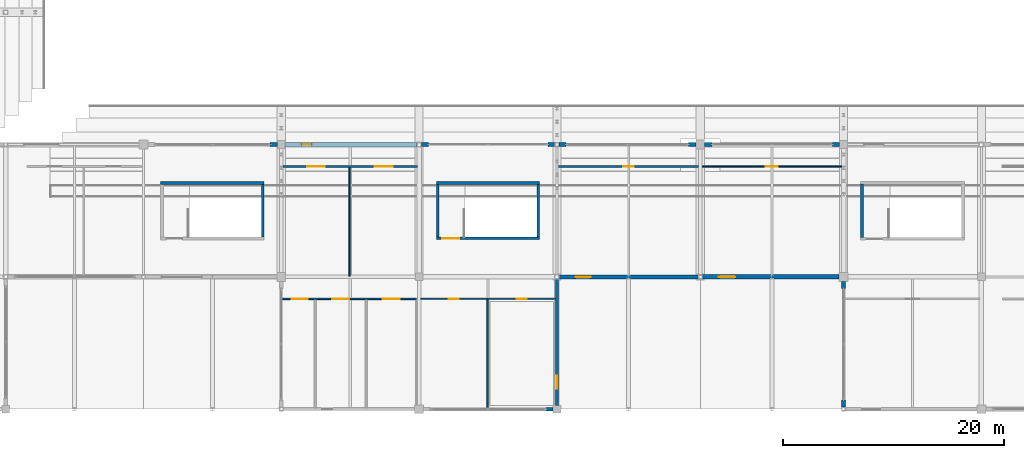
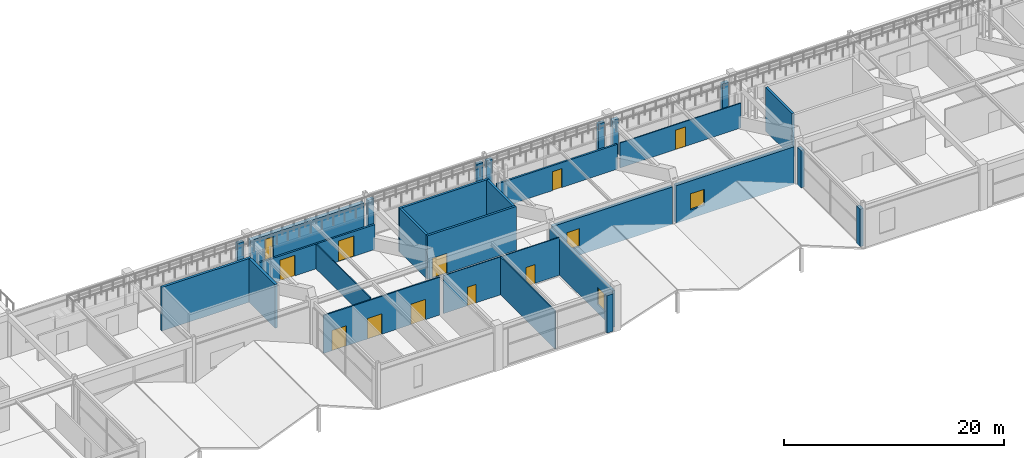
# One storey, part 87 of 128: 28 walls, 10 doors, 4 windows, 14 openings.
"""IFC4 building model written with IfcOpenShell, lengths in metres."""

from ifc_helpers import new_model, si_unit, direction, frame, frame_2d, origin, place, context, subcontext, project, spatial, rectangle, extrude, material, layer, layer_set, type_object, element, fill, save


model = new_model("IFC4")

# Units and contexts
model_context = context("Model", 3, precision=1e-05, world=origin(), true_north=direction((0.0, 1.0)))
body_context = subcontext(model_context, "Body", "Model", "MODEL_VIEW")
ifc_project = project(units=[si_unit("LENGTHUNIT", "METRE"), si_unit("AREAUNIT", "SQUARE_METRE"), si_unit("VOLUMEUNIT", "CUBIC_METRE"), si_unit("PLANEANGLEUNIT", "RADIAN"), si_unit("MASSUNIT", "GRAM", prefix="KILO")], contexts=[model_context])

# Site, building, storey
site_placement = place(None, origin())
site = spatial("IfcSite", under=ifc_project, at=site_placement, CompositionType="ELEMENT")
building_placement = place(site_placement, origin())
building = spatial("IfcBuilding", under=site, at=building_placement, Name="Kazenohara Klinker Stadium", CompositionType="ELEMENT")
storey_placement = place(building_placement, frame((0.0, 0.0, 15.300048828125)))
storey = spatial("IfcBuildingStorey", under=building, at=storey_placement, Name="L03", CompositionType="ELEMENT", Elevation=15.300048828125)

# Wall, opening, door
ifc_material_1 = material(Name="Concrete C40/50", Category="concrete")
ifc_layer_1 = layer(ifc_material_1, 0.22998046875)
ifc_layer_set_1 = layer_set([ifc_layer_1], Name="Concrete C40/50")
wall_type_1 = type_object("IfcWallType", Name="WAL-CORE-230", PredefinedType="SHEAR", material=ifc_layer_set_1)
wall_1_placement = place(storey_placement, frame((88.070068359375, 27.485107421875, 0.0), z_axis=(0.0, 0.0, 1.0), x_axis=(1.0, 0.0, 0.0)))
wall_1 = element("IfcWall", 1, at=wall_1_placement, inside=storey, type_object=wall_type_1, Name="Stairwell shear wall ST26 L03 South", PredefinedType="SHEAR", context=body_context, shape_type="SweptSolid", body=[
    extrude(rectangle(XDim=9.35986328125, YDim=0.22998046875, at=frame_2d((4.679931640625, 0.0))), origin(), (0.0, 0.0, 1.0), 4.85986328125),
])
opening_1_placement = place(wall_1_placement, frame((0.550048828125, 0.0, 0.0)))
opening_1 = element("IfcOpeningElement", 2, at=opening_1_placement, cuts=wall_1, Name="Opening SD02", PredefinedType="OPENING", context=body_context, shape_type="SweptSolid", body=[
    extrude(rectangle(XDim=1.5, YDim=2.199951171875, at=frame_2d((0.75, 1.10009765625))), frame((0.0, 0.125, 0.0), z_axis=(0.0, -1.0, 0.0), x_axis=(1.0, 0.0, 0.0)), (0.0, 0.0, 1.0), 0.25),
])
ifc_material_2 = material(Name="Flush painted steel fire door leaf", Category="steel")
door_type_1 = type_object("IfcDoorType", Name="DR-STR-1500x2200", OperationType="NOTDEFINED", PredefinedType="DOOR", material=ifc_material_2)
door_1_placement = place(opening_1_placement, origin())
door_1 = element("IfcDoor", 3, at=door_1_placement, inside=storey, type_object=door_type_1, Name="Escape stairwell fire door ST26-L03", OperationType="SINGLE_SWING_RIGHT", OverallHeight=2.199951171875, OverallWidth=1.5, PredefinedType="DOOR", context=body_context, shape_type="SweptSolid", body=[
    extrude(rectangle(XDim=1.5, YDim=2.199951171875, at=frame_2d((0.75, 1.10009765625))), frame((0.0, 0.02490234375, 0.0), z_axis=(0.0, -1.0, 0.0), x_axis=(1.0, 0.0, 0.0)), (0.0, 0.0, 1.0), 0.050048828125),
])
fill(opening_1, door_1)

# Walls
wall_2_placement = place(storey_placement, frame((88.070068359375, 32.514892578125, 0.0), z_axis=(0.0, 0.0, 1.0), x_axis=(1.0, 0.0, 0.0)))
element("IfcWall", 4, at=wall_2_placement, inside=storey, type_object=wall_type_1, Name="Stairwell shear wall ST26 L03 North", PredefinedType="SHEAR", context=body_context, shape_type="SweptSolid", body=[
    extrude(rectangle(XDim=9.35986328125, YDim=0.22998046875, at=frame_2d((4.679931640625, 0.0))), origin(), (0.0, 0.0, 1.0), 4.85986328125),
])
for number, where, z_axis, x_axis, name in (
    (5, (88.18505859375, 27.60009765625, 0.0), (0.0, 0.0, 1.0), (0.0, 1.0, 0.0), "Stairwell shear wall ST26 L03 West"),
    (6, (97.31494140625, 27.60009765625, 0.0), (0.0, 0.0, 1.0), (0.0, 1.0, 0.0), "Stairwell shear wall ST26 L03 East"),
):
    element("IfcWall", number, at=place(storey_placement, frame(where, z_axis=z_axis, x_axis=x_axis)), inside=storey, type_object=wall_type_1, Name=name, PredefinedType="SHEAR", context=body_context, shape_type="SweptSolid", body=[
        extrude(rectangle(XDim=4.7998046875, YDim=0.22998046875, at=frame_2d((2.39990234375, 0.0))), origin(), (0.0, 0.0, 1.0), 4.85986328125),
    ])
ifc_layer_2 = layer(ifc_material_1, 0.25)
ifc_layer_set_2 = layer_set([ifc_layer_2], Name="Concrete C40/50")
wall_type_2 = type_object("IfcWallType", Name="WAL-CORE-250", PredefinedType="SHEAR", material=ifc_layer_set_2)
wall_3_placement = place(storey_placement, frame((63.050048828125, 32.514892578125, 0.0), z_axis=(0.0, 0.0, 1.0), x_axis=(1.0, 0.0, 0.0)))
element("IfcWall", 7, at=wall_3_placement, inside=storey, type_object=wall_type_2, Name="Stairwell shear wall ST25 L03 North", PredefinedType="SHEAR", context=body_context, shape_type="SweptSolid", body=[
    extrude(rectangle(XDim=9.39990234375, YDim=0.25, at=frame_2d((4.699951171875, 0.0))), origin(), (0.0, 0.0, 1.0), 4.85986328125),
])
wall_4_placement = place(storey_placement, frame((72.324951171875, 27.610107421875, 0.0), z_axis=(0.0, 0.0, 1.0), x_axis=(0.0, 1.0, 0.0)))
element("IfcWall", 8, at=wall_4_placement, inside=storey, type_object=wall_type_2, Name="Stairwell shear wall ST25 L03 East", PredefinedType="SHEAR", context=body_context, shape_type="SweptSolid", body=[
    extrude(rectangle(XDim=4.77978515625, YDim=0.25, at=frame_2d((2.389892578125, 0.0))), origin(), (0.0, 0.0, 1.0), 4.85986328125),
])
wall_5_placement = place(storey_placement, frame((126.675048828125, 27.580078125, 0.0), z_axis=(0.0, 0.0, 1.0), x_axis=(0.0, 1.0, 0.0)))
element("IfcWall", 9, at=wall_5_placement, inside=storey, type_object=wall_type_2, Name="Stairwell shear wall ST27 L03 West", PredefinedType="SHEAR", context=body_context, shape_type="SweptSolid", body=[
    extrude(rectangle(XDim=4.83984375, YDim=0.25, at=frame_2d((2.419921875, 0.0))), origin(), (0.0, 0.0, 1.0), 4.85986328125),
])

# Wall, opening, window
ifc_material_3 = material(Name="Clinker brick masonry", Category="masonry")
ifc_layer_3 = layer(ifc_material_3, 0.280029296875)
ifc_layer_set_3 = layer_set([ifc_layer_3], Name="Clinker brick masonry")
wall_type_3 = type_object("IfcWallType", Name="WAL-EXT-CB280", PredefinedType="SOLIDWALL", material=ifc_layer_set_3)
wall_6_placement = place(storey_placement, frame((99.0, 12.35400390625, 0.0), z_axis=(0.0, 0.0, 1.0), x_axis=(0.0, 1.0, 0.0)))
wall_6 = element("IfcWall", 10, at=wall_6_placement, inside=storey, type_object=wall_type_3, Name="Clinker brick cavity wall EW06 L03 Y8-1", PredefinedType="SOLIDWALL", context=body_context, shape_type="SweptSolid", body=[
    extrude(rectangle(XDim=11.44189453125, YDim=0.280029296875, at=frame_2d((5.720947265625, 0.0))), origin(), (0.0, 0.0, 1.0), 4.06005859375),
])
opening_2_placement = place(wall_6_placement, frame((1.5, 0.0, 0.949951171875)))
opening_2 = element("IfcOpeningElement", 11, at=opening_2_placement, cuts=wall_6, Name="Opening W05", PredefinedType="OPENING", context=body_context, shape_type="SweptSolid", body=[
    extrude(rectangle(XDim=1.199951171875, YDim=1.89990234375, at=frame_2d((0.60009765625, 0.949951171875))), frame((0.0, 0.14990234375, 0.0), z_axis=(0.0, -1.0, 0.0), x_axis=(1.0, 0.0, 0.0)), (0.0, 0.0, 1.0), 0.300048828125),
])
ifc_material_4 = material(Name="Dark bronze aluminium frame and triple glazing", Category="aluminium")
window_type_1 = type_object("IfcWindowType", Name="WIN-AS-05", PartitioningType="SINGLE_PANEL", PredefinedType="WINDOW", material=ifc_material_4)
window_1_placement = place(opening_2_placement, origin())
window_1 = element("IfcWindow", 12, at=window_1_placement, inside=storey, type_object=window_type_1, Name="Horizontal-mullion ladder window W05 L03 Y8-1", OverallHeight=1.89990234375, OverallWidth=1.199951171875, PartitioningType="SINGLE_PANEL", PredefinedType="WINDOW", context=body_context, shape_type="SweptSolid", body=[
    extrude(rectangle(XDim=1.199951171875, YDim=1.89990234375, at=frame_2d((0.60009765625, 0.949951171875))), frame((0.0, 0.030029296875, 0.0), z_axis=(0.0, -1.0, 0.0), x_axis=(1.0, 0.0, 0.0)), (0.0, 0.0, 1.0), 0.06005859375),
])
fill(opening_2, window_1)

# Walls
ifc_layer_4 = layer(ifc_material_3, 0.340087890625)
ifc_layer_set_4 = layer_set([ifc_layer_4], Name="Clinker brick masonry")
wall_type_4 = type_object("IfcWallType", Name="WAL-EXT-CB340", PredefinedType="SOLIDWALL", material=ifc_layer_set_4)
for number, where, z_axis, x_axis, name in (
    (13, (72.99609375, 36.0, 0.0), (0.0, 0.0, 1.0), (1.0, 0.0, 0.0), "Clinker brick curtain-wall jamb pier L03 X5-3 B"),
    (14, (97.99609375, 12.0, 0.0), (0.0, 0.0, 1.0), (1.0, 0.0, 0.0), "Clinker brick curtain-wall jamb pier L03 X7-1 B"),
):
    element("IfcWall", number, at=place(storey_placement, frame(where, z_axis=z_axis, x_axis=x_axis)), inside=storey, type_object=wall_type_4, Name=name, PredefinedType="SOLIDWALL", context=body_context, shape_type="SweptSolid", body=[
        extrude(rectangle(XDim=0.64990234375, YDim=0.340087890625, at=frame_2d((0.324951171875, 0.0))), origin(), (0.0, 0.0, 1.0), 4.171875),
    ])
wall_7_placement = place(storey_placement, frame((86.7041015625, 36.0, 0.0), z_axis=(0.0, 0.0, 1.0), x_axis=(1.0, 0.0, 0.0)))
element("IfcWall", 15, at=wall_7_placement, inside=storey, type_object=wall_type_4, Name="Clinker brick curtain-wall jamb pier L03 X7-3 A", PredefinedType="SOLIDWALL", context=body_context, shape_type="SweptSolid", body=[
    extrude(rectangle(XDim=0.64990234375, YDim=0.340087890625, at=frame_2d((0.324951171875, 0.0))), origin(), (0.0, 0.0, 1.0), 4.159912109375),
])
wall_8_placement = place(storey_placement, frame((98.1708984375, 36.0, 0.0), z_axis=(0.0, 0.0, 1.0), x_axis=(1.0, 0.0, 0.0)))
element("IfcWall", 16, at=wall_8_placement, inside=storey, type_object=wall_type_4, Name="Clinker brick curtain-wall jamb pier L03 X7-3 B", PredefinedType="SOLIDWALL", context=body_context, shape_type="SweptSolid", body=[
    extrude(rectangle(XDim=0.650146484375, YDim=0.340087890625, at=frame_2d((0.3251953125, 0.0))), origin(), (0.0, 0.0, 1.0), 4.159912109375),
])

# Wall, opening, window
wall_9_placement = place(storey_placement, frame((99.2041015625, 24.0, 0.0), z_axis=(0.0, 0.0, 1.0), x_axis=(1.0, 0.0, 0.0)))
wall_9 = element("IfcWall", 17, at=wall_9_placement, inside=storey, type_object=wall_type_4, Name="Clinker brick cavity wall EW04 L03 X8-2", PredefinedType="SOLIDWALL", context=body_context, shape_type="SweptSolid", body=[
    extrude(rectangle(XDim=12.616943359375, YDim=0.340087890625, at=frame_2d((6.30859375, 0.0))), origin(), (0.0, 0.0, 1.0), 4.159912109375),
])
opening_3_placement = place(wall_9_placement, frame((1.5, 0.0, 0.949951171875)))
opening_3 = element("IfcOpeningElement", 18, at=opening_3_placement, cuts=wall_9, Name="Opening W07", PredefinedType="OPENING", context=body_context, shape_type="SweptSolid", body=[
    extrude(rectangle(XDim=1.35009765625, YDim=2.0, at=frame_2d((0.675048828125, 1.0))), frame((0.0, 0.18017578125, 0.0), z_axis=(0.0, -1.0, 0.0), x_axis=(1.0, 0.0, 0.0)), (0.0, 0.0, 1.0), 0.360107421875),
])
window_type_2 = type_object("IfcWindowType", Name="WIN-AS-07", PartitioningType="SINGLE_PANEL", PredefinedType="WINDOW", material=ifc_material_4)
window_2_placement = place(opening_3_placement, origin())
window_2 = element("IfcWindow", 19, at=window_2_placement, inside=storey, type_object=window_type_2, Name="Horizontal-mullion ladder window W07 L03 X8-2", OverallHeight=2.0, OverallWidth=1.35009765625, PartitioningType="SINGLE_PANEL", PredefinedType="WINDOW", context=body_context, shape_type="SweptSolid", body=[
    extrude(rectangle(XDim=1.35009765625, YDim=2.0, at=frame_2d((0.675048828125, 1.0))), frame((0.0, 0.030029296875, 0.0), z_axis=(0.0, -1.0, 0.0), x_axis=(1.0, 0.0, 0.0)), (0.0, 0.0, 1.0), 0.06005859375),
])
fill(opening_3, window_2)

# Walls
wall_10_placement = place(storey_placement, frame((99.178955078125, 36.0, 0.0), z_axis=(0.0, 0.0, 1.0), x_axis=(1.0, 0.0, 0.0)))
element("IfcWall", 20, at=wall_10_placement, inside=storey, type_object=wall_type_4, Name="Clinker brick curtain-wall jamb pier L03 X8-3 A", PredefinedType="SOLIDWALL", context=body_context, shape_type="SweptSolid", body=[
    extrude(rectangle(XDim=0.650146484375, YDim=0.340087890625, at=frame_2d((0.3251953125, 0.0))), origin(), (0.0, 0.0, 1.0), 4.171875),
])
wall_11_placement = place(storey_placement, frame((110.946044921875, 36.0, 0.0), z_axis=(0.0, 0.0, 1.0), x_axis=(1.0, 0.0, 0.0)))
element("IfcWall", 21, at=wall_11_placement, inside=storey, type_object=wall_type_4, Name="Clinker brick curtain-wall jamb pier L03 X8-3 B", PredefinedType="SOLIDWALL", context=body_context, shape_type="SweptSolid", body=[
    extrude(rectangle(XDim=0.64990234375, YDim=0.340087890625, at=frame_2d((0.324951171875, 0.0))), origin(), (0.0, 0.0, 1.0), 4.171875),
])
for number, where, z_axis, x_axis, name in (
    (22, (112.404052734375, 36.0, 0.0), (0.0, 0.0, 1.0), (1.0, 0.0, 0.0), "Clinker brick curtain-wall jamb pier L03 X9-3 A"),
    (23, (123.99609375, 36.0, 0.0), (0.0, 0.0, 1.0), (1.0, 0.0, 0.0), "Clinker brick curtain-wall jamb pier L03 X9-3 B"),
):
    element("IfcWall", number, at=place(storey_placement, frame(where, z_axis=z_axis, x_axis=x_axis)), inside=storey, type_object=wall_type_4, Name=name, PredefinedType="SOLIDWALL", context=body_context, shape_type="SweptSolid", body=[
        extrude(rectangle(XDim=0.64990234375, YDim=0.340087890625, at=frame_2d((0.324951171875, 0.0))), origin(), (0.0, 0.0, 1.0), 4.06005859375),
    ])
wall_12_placement = place(storey_placement, frame((125.0, 12.178955078125, 0.0), z_axis=(0.0, 0.0, 1.0), x_axis=(0.0, 1.0, 0.0)))
element("IfcWall", 24, at=wall_12_placement, inside=storey, type_object=wall_type_4, Name="Clinker brick curtain-wall jamb pier L03 Y10-1 A", PredefinedType="SOLIDWALL", context=body_context, shape_type="SweptSolid", body=[
    extrude(rectangle(XDim=0.650146484375, YDim=0.340087890625, at=frame_2d((0.3251953125, 0.0))), origin(), (0.0, 0.0, 1.0), 4.171875),
])
wall_13_placement = place(storey_placement, frame((125.0, 22.946044921875, 0.0), z_axis=(0.0, 0.0, 1.0), x_axis=(0.0, 1.0, 0.0)))
element("IfcWall", 25, at=wall_13_placement, inside=storey, type_object=wall_type_4, Name="Clinker brick curtain-wall jamb pier L03 Y10-1 B", PredefinedType="SOLIDWALL", context=body_context, shape_type="SweptSolid", body=[
    extrude(rectangle(XDim=0.64990234375, YDim=0.340087890625, at=frame_2d((0.324951171875, 0.0))), origin(), (0.0, 0.0, 1.0), 4.171875),
])

# Wall, opening, window
ifc_layer_5 = layer(ifc_material_3, 0.409912109375)
ifc_layer_set_5 = layer_set([ifc_layer_5], Name="Clinker brick masonry")
wall_type_5 = type_object("IfcWallType", Name="WAL-EXT-CB410", PredefinedType="SOLIDWALL", material=ifc_layer_set_5)
wall_14_placement = place(storey_placement, frame((74.35400390625, 36.0, 0.0), z_axis=(0.0, 0.0, 1.0), x_axis=(1.0, 0.0, 0.0)))
wall_14 = element("IfcWall", 26, at=wall_14_placement, inside=storey, type_object=wall_type_5, Name="Clinker brick cavity wall EW02 L03 X6-3", PredefinedType="SOLIDWALL", context=body_context, shape_type="SweptSolid", body=[
    extrude(rectangle(XDim=11.94189453125, YDim=0.409912109375, at=frame_2d((5.970947265625, 0.0))), origin(), (0.0, 0.0, 1.0), 4.06005859375),
])
opening_4_placement = place(wall_14_placement, frame((1.5, 0.0, 0.949951171875)))
opening_4 = element("IfcOpeningElement", 27, at=opening_4_placement, cuts=wall_14, Name="Opening W03", PredefinedType="OPENING", context=body_context, shape_type="SweptSolid", body=[
    extrude(rectangle(XDim=0.89990234375, YDim=2.699951171875, at=frame_2d((0.449951171875, 1.35009765625))), frame((0.0, 0.21484375, 0.0), z_axis=(0.0, -1.0, 0.0), x_axis=(1.0, 0.0, 0.0)), (0.0, 0.0, 1.0), 0.429931640625),
])
window_type_3 = type_object("IfcWindowType", Name="WIN-AS-03", PartitioningType="SINGLE_PANEL", PredefinedType="WINDOW", material=ifc_material_4)
window_3_placement = place(opening_4_placement, origin())
window_3 = element("IfcWindow", 28, at=window_3_placement, inside=storey, type_object=window_type_3, Name="Horizontal-mullion ladder window W03 L03 X6-3", OverallHeight=2.699951171875, OverallWidth=0.89990234375, PartitioningType="SINGLE_PANEL", PredefinedType="WINDOW", context=body_context, shape_type="SweptSolid", body=[
    extrude(rectangle(XDim=0.89990234375, YDim=2.699951171875, at=frame_2d((0.449951171875, 1.35009765625))), frame((0.0, 0.030029296875, 0.0), z_axis=(0.0, -1.0, 0.0), x_axis=(1.0, 0.0, 0.0)), (0.0, 0.0, 1.0), 0.06005859375),
])
fill(opening_4, window_3)

wall_15_placement = place(storey_placement, frame((112.178955078125, 24.0, 0.0), z_axis=(0.0, 0.0, 1.0), x_axis=(1.0, 0.0, 0.0)))
wall_15 = element("IfcWall", 29, at=wall_15_placement, inside=storey, type_object=wall_type_5, Name="Clinker brick cavity wall EW02 L03 X9-2", PredefinedType="SOLIDWALL", context=body_context, shape_type="SweptSolid", body=[
    extrude(rectangle(XDim=12.4169921875, YDim=0.409912109375, at=frame_2d((6.20849609375, 0.0))), origin(), (0.0, 0.0, 1.0), 4.171875),
])
opening_5_placement = place(wall_15_placement, frame((1.5, 0.0, 0.949951171875)))
opening_5 = element("IfcOpeningElement", 30, at=opening_5_placement, cuts=wall_15, Name="Opening W09", PredefinedType="OPENING", context=body_context, shape_type="SweptSolid", body=[
    extrude(rectangle(XDim=1.5, YDim=1.800048828125, at=frame_2d((0.75, 0.89990234375))), frame((0.0, 0.21484375, 0.0), z_axis=(0.0, -1.0, 0.0), x_axis=(1.0, 0.0, 0.0)), (0.0, 0.0, 1.0), 0.429931640625),
])
window_type_4 = type_object("IfcWindowType", Name="WIN-AS-09", PartitioningType="SINGLE_PANEL", PredefinedType="WINDOW", material=ifc_material_4)
window_4_placement = place(opening_5_placement, origin())
window_4 = element("IfcWindow", 31, at=window_4_placement, inside=storey, type_object=window_type_4, Name="Horizontal-mullion ladder window W09 L03 X9-2", OverallHeight=1.800048828125, OverallWidth=1.5, PartitioningType="SINGLE_PANEL", PredefinedType="WINDOW", context=body_context, shape_type="SweptSolid", body=[
    extrude(rectangle(XDim=1.5, YDim=1.800048828125, at=frame_2d((0.75, 0.89990234375))), frame((0.0, 0.030029296875, 0.0), z_axis=(0.0, -1.0, 0.0), x_axis=(1.0, 0.0, 0.0)), (0.0, 0.0, 1.0), 0.06005859375),
])
fill(opening_5, window_4)

# Wall
ifc_material_5 = material(Name="Fire-rated gypsum board on acoustic studs", Category="gypsum")
ifc_layer_6 = layer(ifc_material_5, 0.110107421875)
ifc_layer_set_6 = layer_set([ifc_layer_6], Name="Fire-rated gypsum board on acoustic studs")
wall_type_6 = type_object("IfcWallType", Name="WAL-INT-P110", PredefinedType="PARTITIONING", material=ifc_layer_set_6)
wall_16_placement = place(storey_placement, frame((80.189208984375, 24.080078125, 0.0), z_axis=(0.0, 0.0, 1.0), x_axis=(0.0, 1.0, 0.0)))
element("IfcWall", 32, at=wall_16_placement, inside=storey, type_object=wall_type_6, Name="Interior partition wall PT01 SPC-L03-06-02-1-2", PredefinedType="PARTITIONING", context=body_context, shape_type="SweptSolid", body=[
    extrude(rectangle(XDim=9.829833984375, YDim=0.110107421875, at=frame_2d((4.9150390625, 0.0))), origin(), (0.0, 0.0, 1.0), 2.77001953125),
])

# Wall, openings, doors
wall_17_placement = place(storey_placement, frame((86.659912109375, 22.010009765625, 0.0), z_axis=(0.0, 0.0, 1.0), x_axis=(1.0, 0.0, 0.0)))
wall_17 = element("IfcWall", 33, at=wall_17_placement, inside=storey, type_object=wall_type_6, Name="Interior partition wall PT01 SPC-L03-07-01-1-1", PredefinedType="PARTITIONING", context=body_context, shape_type="SweptSolid", body=[
    extrude(rectangle(XDim=12.197998046875, YDim=0.110107421875, at=frame_2d((6.09912109375, 0.0))), origin(), (0.0, 0.0, 1.0), 4.219970703125),
])
opening_6_placement = place(wall_17_placement, frame((3.42431640625, 0.0, 0.0), z_axis=(0.0, 0.0, 1.0), x_axis=(-1.0, 0.0, 0.0)))
opening_6 = element("IfcOpeningElement", 34, at=opening_6_placement, cuts=wall_17, Name="Opening ID01", PredefinedType="OPENING", context=body_context, shape_type="SweptSolid", body=[
    extrude(rectangle(XDim=0.89990234375, YDim=2.06005859375, at=frame_2d((0.449951171875, 1.030029296875))), frame((0.0, 0.06494140625, 0.0), z_axis=(0.0, -1.0, 0.0), x_axis=(1.0, 0.0, 0.0)), (0.0, 0.0, 1.0), 0.130126953125),
])
opening_7_placement = place(wall_17_placement, frame((9.6044921875, 0.0, 0.0), z_axis=(0.0, 0.0, 1.0), x_axis=(-1.0, 0.0, 0.0)))
opening_7 = element("IfcOpeningElement", 35, at=opening_7_placement, cuts=wall_17, Name="Opening ID02", PredefinedType="OPENING", context=body_context, shape_type="SweptSolid", body=[
    extrude(rectangle(XDim=0.919921875, YDim=2.10009765625, at=frame_2d((0.4599609375, 1.050048828125))), frame((0.0, 0.06494140625, 0.0), z_axis=(0.0, -1.0, 0.0), x_axis=(1.0, 0.0, 0.0)), (0.0, 0.0, 1.0), 0.130126953125),
])
ifc_material_6 = material(Name="Solid-core Hokkaido oak fire door", Category="wood")
door_type_2 = type_object("IfcDoorType", Name="DR-INT-01", OperationType="NOTDEFINED", PredefinedType="DOOR", material=ifc_material_6)
door_2_placement = place(opening_6_placement, origin())
door_2 = element("IfcDoor", 36, at=door_2_placement, inside=storey, type_object=door_type_2, Name="Interior door ID01 Crowd Safety Monitoring Control Studio L03-0701A", OperationType="SINGLE_SWING_RIGHT", OverallHeight=2.06005859375, OverallWidth=0.89990234375, PredefinedType="DOOR", context=body_context, shape_type="SweptSolid", body=[
    extrude(rectangle(XDim=0.89990234375, YDim=2.06005859375, at=frame_2d((0.449951171875, 1.030029296875))), frame((0.0, 0.02490234375, 0.0), z_axis=(0.0, -1.0, 0.0), x_axis=(1.0, 0.0, 0.0)), (0.0, 0.0, 1.0), 0.050048828125),
])
fill(opening_6, door_2)
door_type_3 = type_object("IfcDoorType", Name="DR-INT-02", OperationType="NOTDEFINED", PredefinedType="DOOR", material=ifc_material_6)
door_3_placement = place(opening_7_placement, origin())
door_3 = element("IfcDoor", 37, at=door_3_placement, inside=storey, type_object=door_type_3, Name="Interior door ID02 Concourse Cold-Climate Hospitality Lounge L03-0701B", OperationType="SINGLE_SWING_LEFT", OverallHeight=2.10009765625, OverallWidth=0.919921875, PredefinedType="DOOR", context=body_context, shape_type="SweptSolid", body=[
    extrude(rectangle(XDim=0.919921875, YDim=2.10009765625, at=frame_2d((0.4599609375, 1.050048828125))), frame((0.0, 0.02490234375, 0.0), z_axis=(0.0, -1.0, 0.0), x_axis=(1.0, 0.0, 0.0)), (0.0, 0.0, 1.0), 0.050048828125),
])
fill(opening_7, door_3)

# Wall, opening, door
wall_18_placement = place(storey_placement, frame((112.159912109375, 34.010009765625, 0.0), z_axis=(0.0, 0.0, 1.0), x_axis=(1.0, 0.0, 0.0)))
wall_18 = element("IfcWall", 38, at=wall_18_placement, inside=storey, type_object=wall_type_6, Name="Interior partition wall PT01 SPC-L03-09-02-1-1", PredefinedType="PARTITIONING", context=body_context, shape_type="SweptSolid", body=[
    extrude(rectangle(XDim=12.68017578125, YDim=0.110107421875, at=frame_2d((6.340087890625, 0.0))), origin(), (0.0, 0.0, 1.0), 2.77001953125),
])
opening_8_placement = place(wall_18_placement, frame((6.885009765625, 0.0, 0.0), z_axis=(0.0, 0.0, 1.0), x_axis=(-1.0, 0.0, 0.0)))
opening_8 = element("IfcOpeningElement", 39, at=opening_8_placement, cuts=wall_18, Name="Opening ID08", PredefinedType="OPENING", context=body_context, shape_type="SweptSolid", body=[
    extrude(rectangle(XDim=1.090087890625, YDim=2.159912109375, at=frame_2d((0.544921875, 1.080078125))), frame((0.0, 0.06494140625, 0.0), z_axis=(0.0, -1.0, 0.0), x_axis=(1.0, 0.0, 0.0)), (0.0, 0.0, 1.0), 0.130126953125),
])
door_type_4 = type_object("IfcDoorType", Name="DR-INT-08", OperationType="NOTDEFINED", PredefinedType="DOOR", material=ifc_material_6)
door_4_placement = place(opening_8_placement, origin())
door_4 = element("IfcDoor", 40, at=door_4_placement, inside=storey, type_object=door_type_4, Name="Interior door ID08 East Panorama Concourse Dining Court L03-0902A", OperationType="SINGLE_SWING_LEFT", OverallHeight=2.159912109375, OverallWidth=1.090087890625, PredefinedType="DOOR", context=body_context, shape_type="SweptSolid", body=[
    extrude(rectangle(XDim=1.090087890625, YDim=2.159912109375, at=frame_2d((0.544921875, 1.080078125))), frame((0.0, 0.02490234375, 0.0), z_axis=(0.0, -1.0, 0.0), x_axis=(1.0, 0.0, 0.0)), (0.0, 0.0, 1.0), 0.050048828125),
])
fill(opening_8, door_4)

# Wall
ifc_layer_7 = layer(ifc_material_5, 0.1201171875)
ifc_layer_set_7 = layer_set([ifc_layer_7], Name="Fire-rated gypsum board on acoustic studs")
wall_type_7 = type_object("IfcWallType", Name="WAL-INT-P120", PredefinedType="PARTITIONING", material=ifc_layer_set_7)
wall_19_placement = place(storey_placement, frame((92.689208984375, 12.02392578125, 0.0), z_axis=(0.0, 0.0, 1.0), x_axis=(0.0, 1.0, 0.0)))
element("IfcWall", 41, at=wall_19_placement, inside=storey, type_object=wall_type_7, Name="Interior partition wall PT02 SPC-L03-07-01-1-2", PredefinedType="PARTITIONING", context=body_context, shape_type="SweptSolid", body=[
    extrude(rectangle(XDim=9.926025390625, YDim=0.1201171875, at=frame_2d((4.962890625, 0.0))), origin(), (0.0, 0.0, 1.0), 4.219970703125),
])

# Wall, openings, doors
ifc_layer_8 = layer(ifc_material_5, 0.139892578125)
ifc_layer_set_8 = layer_set([ifc_layer_8], Name="Fire-rated gypsum board on acoustic studs")
wall_type_8 = type_object("IfcWallType", Name="WAL-INT-P140", PredefinedType="PARTITIONING", material=ifc_layer_set_8)
wall_20_placement = place(storey_placement, frame((74.02392578125, 22.010009765625, 0.0), z_axis=(0.0, 0.0, 1.0), x_axis=(1.0, 0.0, 0.0)))
wall_20 = element("IfcWall", 42, at=wall_20_placement, inside=storey, type_object=wall_type_8, Name="Interior partition wall PT03 SPC-L03-06-01-1-2", PredefinedType="PARTITIONING", context=body_context, shape_type="SweptSolid", body=[
    extrude(rectangle(XDim=12.236083984375, YDim=0.139892578125, at=frame_2d((6.1181640625, 0.0))), origin(), (0.0, 0.0, 1.0), 4.219970703125),
])
opening_9_placement = place(wall_20_placement, frame((2.386962890625, 0.0, 0.0), z_axis=(0.0, 0.0, 1.0), x_axis=(-1.0, 0.0, 0.0)))
opening_9 = element("IfcOpeningElement", 43, at=opening_9_placement, cuts=wall_20, Name="Opening ID20", PredefinedType="OPENING", context=body_context, shape_type="SweptSolid", body=[
    extrude(rectangle(XDim=1.47998046875, YDim=2.239990234375, at=frame_2d((0.739990234375, 1.1201171875))), frame((0.0, 0.080078125, 0.0), z_axis=(0.0, -1.0, 0.0), x_axis=(1.0, 0.0, 0.0)), (0.0, 0.0, 1.0), 0.159912109375),
])
opening_10_placement = place(wall_20_placement, frame((6.127685546875, 0.0, 0.0), z_axis=(0.0, 0.0, 1.0), x_axis=(-1.0, 0.0, 0.0)))
opening_10 = element("IfcOpeningElement", 44, at=opening_10_placement, cuts=wall_20, Name="Opening ID21", PredefinedType="OPENING", context=body_context, shape_type="SweptSolid", body=[
    extrude(rectangle(XDim=1.52001953125, YDim=2.280029296875, at=frame_2d((0.760009765625, 1.14013671875))), frame((0.0, 0.080078125, 0.0), z_axis=(0.0, -1.0, 0.0), x_axis=(1.0, 0.0, 0.0)), (0.0, 0.0, 1.0), 0.159912109375),
])
opening_11_placement = place(wall_20_placement, frame((10.7265625, 0.0, 0.0), z_axis=(0.0, 0.0, 1.0), x_axis=(-1.0, 0.0, 0.0)))
opening_11 = element("IfcOpeningElement", 45, at=opening_11_placement, cuts=wall_20, Name="Opening ID22", PredefinedType="OPENING", context=body_context, shape_type="SweptSolid", body=[
    extrude(rectangle(XDim=1.56005859375, YDim=2.260009765625, at=frame_2d((0.780029296875, 1.1298828125))), frame((0.0, 0.080078125, 0.0), z_axis=(0.0, -1.0, 0.0), x_axis=(1.0, 0.0, 0.0)), (0.0, 0.0, 1.0), 0.159912109375),
])
ifc_material_7 = material(Name="Painted steel plant fire door", Category="steel")
door_type_5 = type_object("IfcDoorType", Name="DR-INT-20", OperationType="NOTDEFINED", PredefinedType="DOOR", material=ifc_material_7)
door_5_placement = place(opening_9_placement, origin())
door_5 = element("IfcDoor", 46, at=door_5_placement, inside=storey, type_object=door_type_5, Name="Interior door ID20 Accessible Water Closet Restroom L03-0601A", OperationType="SINGLE_SWING_LEFT", OverallHeight=2.239990234375, OverallWidth=1.47998046875, PredefinedType="DOOR", context=body_context, shape_type="SweptSolid", body=[
    extrude(rectangle(XDim=1.47998046875, YDim=2.239990234375, at=frame_2d((0.739990234375, 1.1201171875))), frame((0.0, 0.02490234375, 0.0), z_axis=(0.0, -1.0, 0.0), x_axis=(1.0, 0.0, 0.0)), (0.0, 0.0, 1.0), 0.050048828125),
])
fill(opening_9, door_5)
door_type_6 = type_object("IfcDoorType", Name="DR-INT-21", OperationType="NOTDEFINED", PredefinedType="DOOR", material=ifc_material_7)
door_6_placement = place(opening_10_placement, origin())
door_6 = element("IfcDoor", 47, at=door_6_placement, inside=storey, type_object=door_type_6, Name="Interior door ID21 Water Closet Restroom Male L03-0601B", OperationType="SINGLE_SWING_RIGHT", OverallHeight=2.280029296875, OverallWidth=1.52001953125, PredefinedType="DOOR", context=body_context, shape_type="SweptSolid", body=[
    extrude(rectangle(XDim=1.52001953125, YDim=2.280029296875, at=frame_2d((0.760009765625, 1.14013671875))), frame((0.0, 0.02490234375, 0.0), z_axis=(0.0, -1.0, 0.0), x_axis=(1.0, 0.0, 0.0)), (0.0, 0.0, 1.0), 0.050048828125),
])
fill(opening_10, door_6)
door_type_7 = type_object("IfcDoorType", Name="DR-INT-22", OperationType="NOTDEFINED", PredefinedType="DOOR", material=ifc_material_7)
door_7_placement = place(opening_11_placement, origin())
door_7 = element("IfcDoor", 48, at=door_7_placement, inside=storey, type_object=door_type_7, Name="Interior door ID22 Water Closet Restroom Female L03-0601C", OperationType="SINGLE_SWING_LEFT", OverallHeight=2.260009765625, OverallWidth=1.56005859375, PredefinedType="DOOR", context=body_context, shape_type="SweptSolid", body=[
    extrude(rectangle(XDim=1.56005859375, YDim=2.260009765625, at=frame_2d((0.780029296875, 1.1298828125))), frame((0.0, 0.02490234375, 0.0), z_axis=(0.0, -1.0, 0.0), x_axis=(1.0, 0.0, 0.0)), (0.0, 0.0, 1.0), 0.050048828125),
])
fill(opening_11, door_7)

ifc_layer_9 = layer(ifc_material_5, 0.18994140625)
ifc_layer_set_9 = layer_set([ifc_layer_9], Name="Fire-rated gypsum board on acoustic studs")
wall_type_9 = type_object("IfcWallType", Name="WAL-INT-P190", PredefinedType="PARTITIONING", material=ifc_layer_set_9)
wall_21_placement = place(storey_placement, frame((74.159912109375, 34.010009765625, 0.0), z_axis=(0.0, 0.0, 1.0), x_axis=(1.0, 0.0, 0.0)))
wall_21 = element("IfcWall", 49, at=wall_21_placement, inside=storey, type_object=wall_type_9, Name="Interior partition wall PT06 SPC-L03-06-02-1-1", PredefinedType="PARTITIONING", context=body_context, shape_type="SweptSolid", body=[
    extrude(rectangle(XDim=12.18017578125, YDim=0.18994140625, at=frame_2d((6.090087890625, 0.0))), origin(), (0.0, 0.0, 1.0), 2.77001953125),
])
opening_12_placement = place(wall_21_placement, frame((3.774658203125, 0.0, 0.0), z_axis=(0.0, 0.0, 1.0), x_axis=(-1.0, 0.0, 0.0)))
opening_12 = element("IfcOpeningElement", 50, at=opening_12_placement, cuts=wall_21, Name="Opening ID23", PredefinedType="OPENING", context=body_context, shape_type="SweptSolid", body=[
    extrude(rectangle(XDim=1.60009765625, YDim=2.300048828125, at=frame_2d((0.800048828125, 1.14990234375))), frame((0.0, 0.10498046875, 0.0), z_axis=(0.0, -1.0, 0.0), x_axis=(1.0, 0.0, 0.0)), (0.0, 0.0, 1.0), 0.2099609375),
])
opening_13_placement = place(wall_21_placement, frame((9.969482421875, 0.0, 0.0), z_axis=(0.0, 0.0, 1.0), x_axis=(-1.0, 0.0, 0.0)))
opening_13 = element("IfcOpeningElement", 51, at=opening_13_placement, cuts=wall_21, Name="Opening ID24", PredefinedType="OPENING", context=body_context, shape_type="SweptSolid", body=[
    extrude(rectangle(XDim=1.64990234375, YDim=2.280029296875, at=frame_2d((0.824951171875, 1.14013671875))), frame((0.0, 0.10498046875, 0.0), z_axis=(0.0, -1.0, 0.0), x_axis=(1.0, 0.0, 0.0)), (0.0, 0.0, 1.0), 0.2099609375),
])
door_type_8 = type_object("IfcDoorType", Name="DR-INT-23", OperationType="NOTDEFINED", PredefinedType="DOOR", material=ifc_material_7)
door_8_placement = place(opening_12_placement, origin())
door_8 = element("IfcDoor", 52, at=door_8_placement, inside=storey, type_object=door_type_8, Name="Interior door ID23 Supporter Tifo Workshop Studio L03-0602A", OperationType="SINGLE_SWING_RIGHT", OverallHeight=2.300048828125, OverallWidth=1.60009765625, PredefinedType="DOOR", context=body_context, shape_type="SweptSolid", body=[
    extrude(rectangle(XDim=1.60009765625, YDim=2.300048828125, at=frame_2d((0.800048828125, 1.14990234375))), frame((0.0, 0.02490234375, 0.0), z_axis=(0.0, -1.0, 0.0), x_axis=(1.0, 0.0, 0.0)), (0.0, 0.0, 1.0), 0.050048828125),
])
fill(opening_12, door_8)
door_type_9 = type_object("IfcDoorType", Name="DR-INT-24", OperationType="NOTDEFINED", PredefinedType="DOOR", material=ifc_material_7)
door_9_placement = place(opening_13_placement, origin())
door_9 = element("IfcDoor", 53, at=door_9_placement, inside=storey, type_object=door_type_9, Name="Interior door ID24 Crowd Safety Monitoring Control Studio L03-0602B", OperationType="SINGLE_SWING_LEFT", OverallHeight=2.280029296875, OverallWidth=1.64990234375, PredefinedType="DOOR", context=body_context, shape_type="SweptSolid", body=[
    extrude(rectangle(XDim=1.64990234375, YDim=2.280029296875, at=frame_2d((0.824951171875, 1.14013671875))), frame((0.0, 0.02490234375, 0.0), z_axis=(0.0, -1.0, 0.0), x_axis=(1.0, 0.0, 0.0)), (0.0, 0.0, 1.0), 0.050048828125),
])
fill(opening_13, door_9)

# Wall, opening, door
wall_22_placement = place(storey_placement, frame((99.159912109375, 34.010009765625, 0.0), z_axis=(0.0, 0.0, 1.0), x_axis=(1.0, 0.0, 0.0)))
wall_22 = element("IfcWall", 54, at=wall_22_placement, inside=storey, type_object=wall_type_9, Name="Interior partition wall PT06 SPC-L03-08-02-1-1", PredefinedType="PARTITIONING", context=body_context, shape_type="SweptSolid", body=[
    extrude(rectangle(XDim=12.68017578125, YDim=0.18994140625, at=frame_2d((6.340087890625, 0.0))), origin(), (0.0, 0.0, 1.0), 2.77001953125),
])
opening_14_placement = place(wall_22_placement, frame((6.830078125, 0.0, 0.0), z_axis=(0.0, 0.0, 1.0), x_axis=(-1.0, 0.0, 0.0)))
opening_14 = element("IfcOpeningElement", 55, at=opening_14_placement, cuts=wall_22, Name="Opening ID04", PredefinedType="OPENING", context=body_context, shape_type="SweptSolid", body=[
    extrude(rectangle(XDim=0.97998046875, YDim=2.10009765625, at=frame_2d((0.489990234375, 1.050048828125))), frame((0.0, 0.10498046875, 0.0), z_axis=(0.0, -1.0, 0.0), x_axis=(1.0, 0.0, 0.0)), (0.0, 0.0, 1.0), 0.2099609375),
])
door_type_10 = type_object("IfcDoorType", Name="DR-INT-04", OperationType="NOTDEFINED", PredefinedType="DOOR", material=ifc_material_6)
door_10_placement = place(opening_14_placement, origin())
door_10 = element("IfcDoor", 56, at=door_10_placement, inside=storey, type_object=door_type_10, Name="Interior door ID04 Upper Stand First-Aid Medical Clinic L03-0802A", OperationType="SINGLE_SWING_LEFT", OverallHeight=2.10009765625, OverallWidth=0.97998046875, PredefinedType="DOOR", context=body_context, shape_type="SweptSolid", body=[
    extrude(rectangle(XDim=0.97998046875, YDim=2.10009765625, at=frame_2d((0.489990234375, 1.050048828125))), frame((0.0, 0.02490234375, 0.0), z_axis=(0.0, -1.0, 0.0), x_axis=(1.0, 0.0, 0.0)), (0.0, 0.0, 1.0), 0.050048828125),
])
fill(opening_14, door_10)

save(model, "model.ifc")
